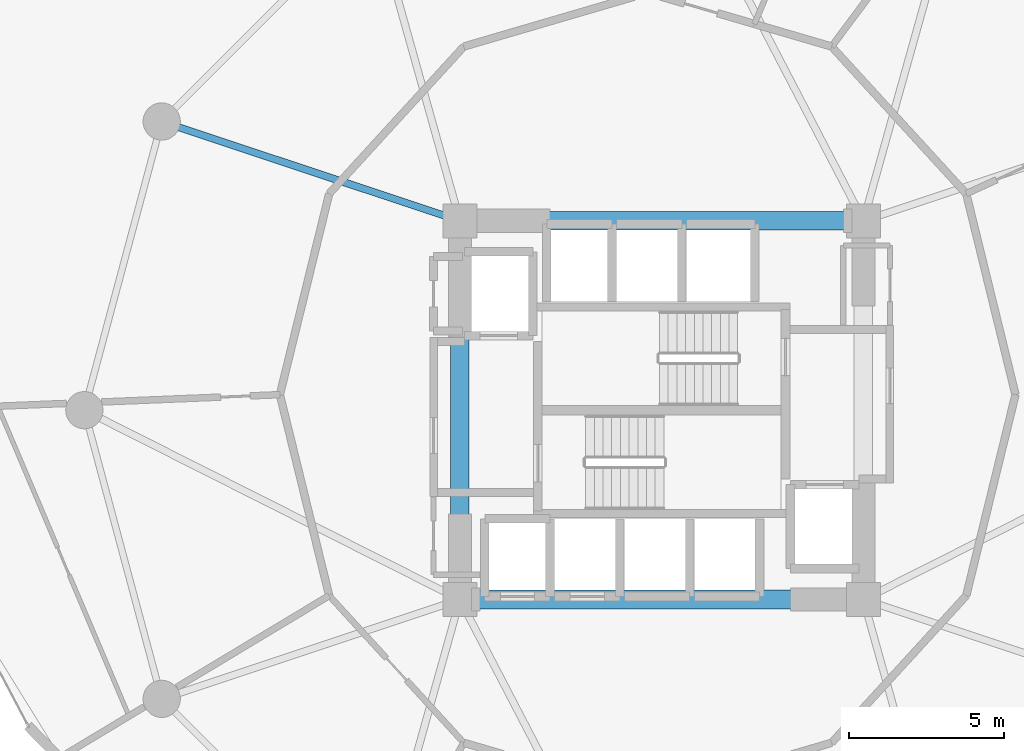
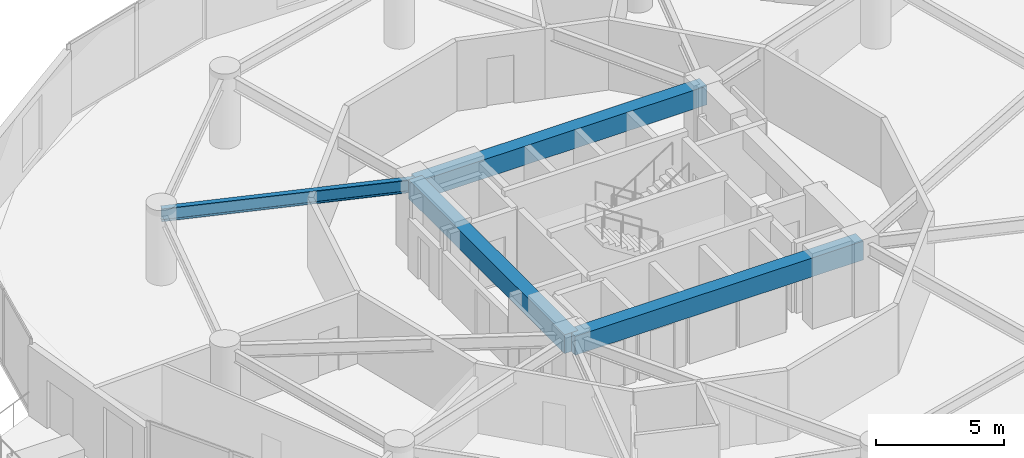
# One storey, part 8 of 24: 4 beams.
"""IFC4 building model written with IfcOpenShell, lengths in metres."""

import ifcopenshell
import ifcopenshell.guid

model = None  # the IFC model being written
_history = None  # IfcOwnerHistory: only IFC2X3 demands one
_inside = {}  # id of a spatial element -> (the spatial element, [elements in it])
_under = {}  # id of a project, library or spatial element -> (it, [spatial elements below it])
_declared = {}  # id of a project -> (the project, [libraries it declares])
_typed = {}  # id of a type object -> (the type object, [elements of that type])
_made_of = {}  # id of a material, layer set ... -> (it, [elements and type objects made of it])


def new_model(schema):
    """Start an empty IFC model of exactly this schema.

    Asked for "IFC4X3", IfcOpenShell would pick the latest addendum, in which some entities
    have other attributes; the version numbers below select the first issue.
    IFC2X3 requires an IfcOwnerHistory on every rooted entity: one is made here for all.
    """
    global model, _history
    if schema == "IFC4X3":
        model = ifcopenshell.file(schema_version=(4, 3, 0, 0))
    else:
        model = ifcopenshell.file(schema=schema)
    _inside.clear()
    _under.clear()
    _declared.clear()
    _typed.clear()
    _made_of.clear()
    _history = None
    if model.schema == "IFC2X3":
        org = make("IfcOrganization", Name="unknown")
        user = make(
            "IfcPersonAndOrganization",
            ThePerson=make("IfcPerson", FamilyName="unknown"),
            TheOrganization=org,
        )
        app = make(
            "IfcApplication",
            ApplicationDeveloper=org,
            Version="unknown",
            ApplicationFullName="unknown",
            ApplicationIdentifier="unknown",
        )
        _history = make(
            "IfcOwnerHistory",
            OwningUser=user,
            OwningApplication=app,
            ChangeAction="ADDED",
            CreationDate=0,
        )
    return model


def make(cls, **values):
    """One entity of the class cls with the attributes given. An attribute that is None is left unset."""
    return model.create_entity(
        cls, **{name: value for name, value in values.items() if value is not None}
    )


def rooted(cls, **values):
    """An entity with a GlobalId (a new one), such as an element, a storey or a relation."""
    return make(cls, GlobalId=ifcopenshell.guid.new(), OwnerHistory=_history, **values)


def si_unit(unit_type, name, prefix=None):
    """IfcSIUnit, for example si_unit("LENGTHUNIT", "METRE", prefix="MILLI")."""
    return make("IfcSIUnit", UnitType=unit_type, Prefix=prefix, Name=name)


def assignment(units):
    """IfcUnitAssignment: the units of a project."""
    return None if units is None else make("IfcUnitAssignment", Units=units)


def point(xyz):
    """IfcCartesianPoint."""
    return None if xyz is None else make("IfcCartesianPoint", Coordinates=xyz)


def direction(xyz):
    """IfcDirection."""
    return None if xyz is None else make("IfcDirection", DirectionRatios=xyz)


def frame(location, z_axis=None, x_axis=None):
    """IfcAxis2Placement3D, a coordinate frame: its origin and axes. An axis left out is left unset."""
    return make(
        "IfcAxis2Placement3D",
        Location=point(location),
        Axis=direction(z_axis),
        RefDirection=direction(x_axis),
    )


def frame_2d(location, x_axis=None):
    """IfcAxis2Placement2D, a coordinate frame in the plane: its origin and x axis."""
    return make(
        "IfcAxis2Placement2D", Location=point(location), RefDirection=direction(x_axis)
    )


def origin():
    """The frame at (0, 0, 0) with its axes left unset."""
    return frame((0.0, 0.0, 0.0))


def origin_2d():
    """The frame at (0, 0) in the plane with its x axis left unset."""
    return frame_2d((0.0, 0.0))


def place(relative_to, where):
    """IfcLocalPlacement: puts the frame where relative to a parent placement (None: the world)."""
    return make(
        "IfcLocalPlacement", PlacementRelTo=relative_to, RelativePlacement=where
    )


def context(
    kind, dimensions, precision=None, world=None, true_north=None, identifier=None
):
    """IfcGeometricRepresentationContext, for example the 3D "Model" context."""
    return make(
        "IfcGeometricRepresentationContext",
        ContextIdentifier=identifier,
        ContextType=kind,
        CoordinateSpaceDimension=dimensions,
        Precision=precision,
        WorldCoordinateSystem=world,
        TrueNorth=true_north,
    )


def subcontext(parent, identifier, kind, view, scale=None):
    """IfcGeometricRepresentationSubContext, for example "Body" below "Model"."""
    return make(
        "IfcGeometricRepresentationSubContext",
        ContextIdentifier=identifier,
        ContextType=kind,
        ParentContext=parent,
        TargetScale=scale,
        TargetView=view,
    )


def project(units=None, contexts=None):
    """IfcProject with its units and contexts."""
    return rooted(
        "IfcProject",
        Name="project",
        RepresentationContexts=contexts,
        UnitsInContext=assignment(units),
    )


def spatial(cls, under=None, at=None, **own):
    """A site, building, storey or space (cls), placed at a placement, below another one or the project."""
    s = rooted(cls, ObjectPlacement=at, **own)
    if under is not None:
        _under.setdefault(under.id(), (under, []))[1].append(s)
    return s


def profile(cls, at=None, kind="AREA", **sizes):
    """A parametric profile (cls). Its sizes go by their IFC names, for example OverallWidth=200.0."""
    return make(cls, ProfileType=kind, Position=at, **sizes)


def rectangle(**sizes):
    """IfcRectangleProfileDef."""
    return profile("IfcRectangleProfileDef", **sizes)


def i_section(**sizes):
    """IfcIShapeProfileDef."""
    return profile("IfcIShapeProfileDef", **sizes)


def extrude(swept, where, along, depth):
    """IfcExtrudedAreaSolid: the profile swept, set in the frame where, extruded along a direction by depth."""
    return make(
        "IfcExtrudedAreaSolid",
        SweptArea=swept,
        Position=where,
        ExtrudedDirection=direction(along),
        Depth=depth,
    )


def shape(context_of_items, identifier, shape_type, items):
    """IfcShapeRepresentation: the items that make up one representation, for example the "Body"."""
    return make(
        "IfcShapeRepresentation",
        ContextOfItems=context_of_items,
        RepresentationIdentifier=identifier,
        RepresentationType=shape_type,
        Items=items,
    )


def material(Name=None, Category=None):
    """IfcMaterial."""
    return make("IfcMaterial", Name=Name, Category=Category)


def material_profile(
    of_material, cross_section, Name=None, Category=None, Priority=None
):
    """IfcMaterialProfile: a cross section and its material."""
    return make(
        "IfcMaterialProfile",
        Name=Name,
        Material=of_material,
        Profile=cross_section,
        Priority=Priority,
        Category=Category,
    )


def profile_set(profiles, Name=None, composite=None):
    """IfcMaterialProfileSet."""
    return make(
        "IfcMaterialProfileSet",
        Name=Name,
        MaterialProfiles=profiles,
        CompositeProfile=composite,
    )


def made_of(thing, what):
    """Note that an element or type object is made of a material, layer set ...; save() writes the relation."""
    if what is not None:
        _made_of.setdefault(what.id(), (what, []))[1].append(thing)
    return thing


def type_object(cls, material=None, **own):
    """A type object (cls), such as IfcWallType, which elements share."""
    return made_of(rooted(cls, **own), material)


def element(
    cls,
    number,
    at=None,
    inside=None,
    cuts=None,
    type_object=None,
    material=None,
    context=None,
    identifier="Body",
    shape_type=None,
    held_by="IfcProductDefinitionShape",
    body=None,
    shapes=None,
    **own,
):
    """One element of the class cls, such as IfcWall. Its Tag is "e" and its number.

    at: its placement. inside: the storey or other place that contains it. cuts: it is an
    opening in that element (IfcRelVoidsElement). A single representation is given by context,
    identifier, shape_type and body (its items); several are given by shapes. held_by: the class
    of the entity that holds the representations. save() writes the other relations.
    """
    e = rooted(cls, Tag="e%d" % number, ObjectPlacement=at, **own)
    if body is not None:
        shapes = [shape(context, identifier, shape_type, body)]
    if shapes is not None:
        e.Representation = make(held_by, Representations=shapes)
    if inside is not None:
        _inside.setdefault(inside.id(), (inside, []))[1].append(e)
    if cuts is not None:
        rooted(
            "IfcRelVoidsElement", RelatingBuildingElement=cuts, RelatedOpeningElement=e
        )
    if type_object is not None:
        _typed.setdefault(type_object.id(), (type_object, []))[1].append(e)
    return made_of(e, material)


def aggregate(whole, parts):
    """IfcRelAggregates: a whole, such as a stair, and the parts it consists of."""
    return rooted("IfcRelAggregates", RelatingObject=whole, RelatedObjects=parts)


def save(model, path):
    """Write the relations noted so far, then the file.

    IfcRelAggregates (storeys below a building ...), IfcRelContainedInSpatialStructure (elements
    in a storey), IfcRelDefinesByType, IfcRelAssociatesMaterial and IfcRelDeclares: one each for
    every whole, place, type object, material and project.
    """
    for whole, parts in _under.values():
        aggregate(whole, parts)
    for where, things in _inside.values():
        rooted(
            "IfcRelContainedInSpatialStructure",
            RelatedElements=things,
            RelatingStructure=where,
        )
    for kind, things in _typed.values():
        rooted("IfcRelDefinesByType", RelatedObjects=things, RelatingType=kind)
    for what, things in _made_of.values():
        rooted("IfcRelAssociatesMaterial", RelatedObjects=things, RelatingMaterial=what)
    for by, libraries in _declared.values():
        rooted("IfcRelDeclares", RelatingContext=by, RelatedDefinitions=libraries)
    model.write(path)


model = new_model("IFC4")

# Units and contexts
model_context = context("Model", 3, precision=1e-05, world=origin(), true_north=direction((0.0, 1.0)))
body_context = subcontext(model_context, "Body", "Model", "MODEL_VIEW")
ifc_project = project(units=[si_unit("LENGTHUNIT", "METRE"), si_unit("AREAUNIT", "SQUARE_METRE"), si_unit("VOLUMEUNIT", "CUBIC_METRE"), si_unit("PLANEANGLEUNIT", "RADIAN"), si_unit("MASSUNIT", "GRAM", prefix="KILO")], contexts=[model_context])

# Site, building, storey
site_placement = place(None, origin())
site = spatial("IfcSite", under=ifc_project, at=site_placement, CompositionType="ELEMENT")
building_placement = place(site_placement, origin())
building = spatial("IfcBuilding", under=site, at=building_placement, Name="Solvirekh Grand Hotel", CompositionType="ELEMENT")
storey_placement = place(building_placement, frame((0.0, 0.0, 82.39990234375)))
storey = spatial("IfcBuildingStorey", under=building, at=storey_placement, Name="L20", CompositionType="ELEMENT", Elevation=82.39990234375)

# Beams
ifc_material_1 = material(Name="Concrete C50/60", Category="concrete")
ifc_material_profile_1 = material_profile(ifc_material_1, rectangle(XDim=0.60009765625, YDim=0.89990234375, at=origin_2d()), Name="RC BEAM 600X900")
ifc_profile_set_1 = profile_set([ifc_material_profile_1], Name="Concrete C50/60")
beam_type_1 = type_object("IfcBeamType", Name="Beam_Core_RC900", PredefinedType="BEAM", material=ifc_profile_set_1)
for number, where, z_axis, x_axis, name in (
    (1, (-6.5, -6.10009765625, 2.89013671875), (1.0, 0.0, 0.0), (0.0, 1.0, 0.0), "L20 core coupling ring beam 1"),
    (2, (6.5, 6.10009765625, 2.89013671875), (-1.0, 0.0, 0.0), (0.0, -1.0, 0.0), "L20 core coupling ring beam 3"),
):
    element("IfcBeam", number, at=place(storey_placement, frame(where, z_axis=z_axis, x_axis=x_axis)), inside=storey, type_object=beam_type_1, Name=name, PredefinedType="BEAM", context=body_context, shape_type="SweptSolid", body=[
        extrude(rectangle(XDim=0.60009765625, YDim=0.89990234375, at=origin_2d()), origin(), (0.0, 0.0, 1.0), 13.0),
    ])
beam_1_placement = place(storey_placement, frame((-6.5, 6.10009765625, 2.89013671875), z_axis=(0.0, -1.0, 0.0), x_axis=(1.0, 0.0, 0.0)))
element("IfcBeam", 3, at=beam_1_placement, inside=storey, type_object=beam_type_1, Name="L20 core coupling ring beam 4", PredefinedType="BEAM", context=body_context, shape_type="SweptSolid", body=[
    extrude(rectangle(XDim=0.60009765625, YDim=0.89990234375, at=origin_2d()), origin(), (0.0, 0.0, 1.0), 12.2001953125),
])
ifc_material_2 = material(Name="Steel S355", Category="steel")
ifc_material_profile_2 = material_profile(ifc_material_2, i_section(OverallWidth=0.22998046875, OverallDepth=0.615966796875, WebThickness=0.013916015625, FlangeThickness=0.02392578125, FilletRadius=0.014892578125, at=origin_2d()), Name="W610X174")
ifc_profile_set_2 = profile_set([ifc_material_profile_2], Name="Steel S355")
beam_type_2 = type_object("IfcBeamType", Name="Beam_Primary_W610H", PredefinedType="BEAM", material=ifc_profile_set_2)
beam_2_placement = place(storey_placement, frame((-6.5, 6.10009765625, 3.031982421875), z_axis=(-0.948762825819, 0.315989082635, 0.0), x_axis=(-0.315989082635, -0.948762825819, 0.0)))
element("IfcBeam", 4, at=beam_2_placement, inside=storey, type_object=beam_type_2, Name="L20 radial floor beam R06", PredefinedType="BEAM", context=body_context, shape_type="SweptSolid", body=[
    extrude(i_section(OverallWidth=0.22998046875, OverallDepth=0.615966796875, WebThickness=0.013916015625, FlangeThickness=0.02392578125, FilletRadius=0.014892578125, at=origin_2d()), origin(), (0.0, 0.0, 1.0), 10.126708984375),
])

save(model, "model.ifc")
